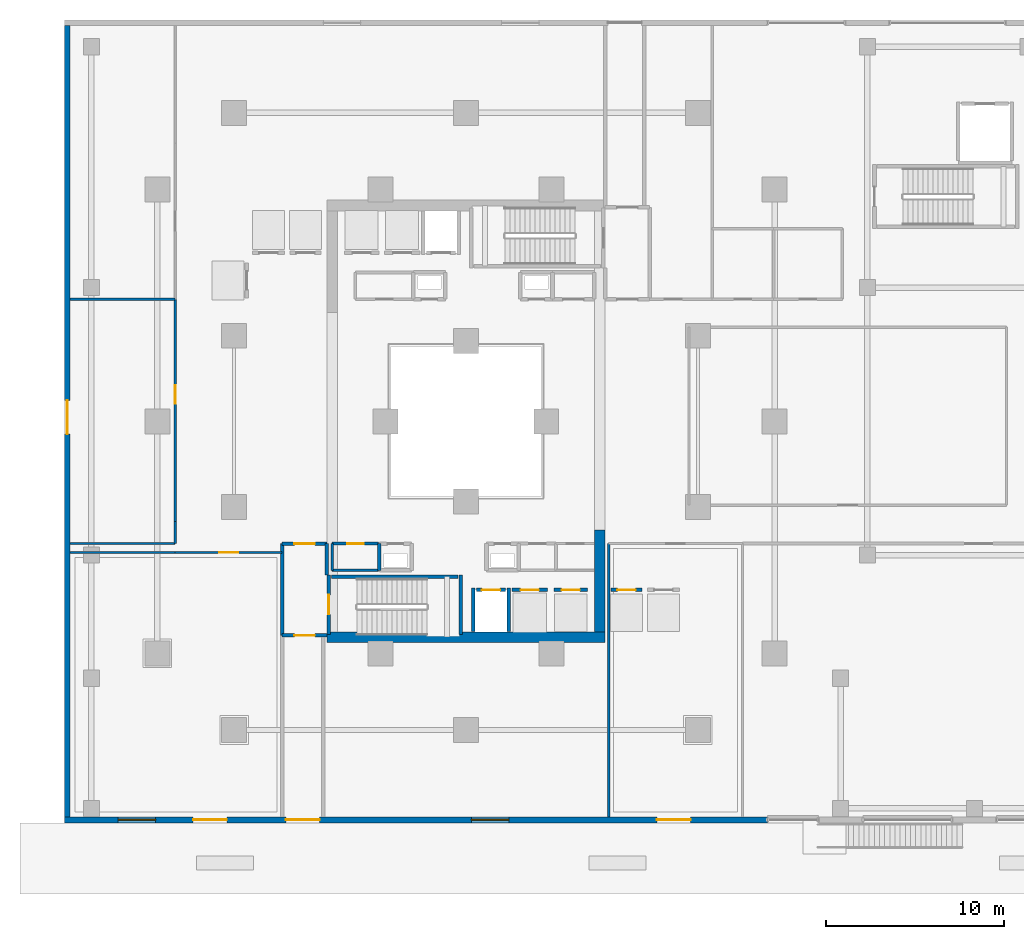
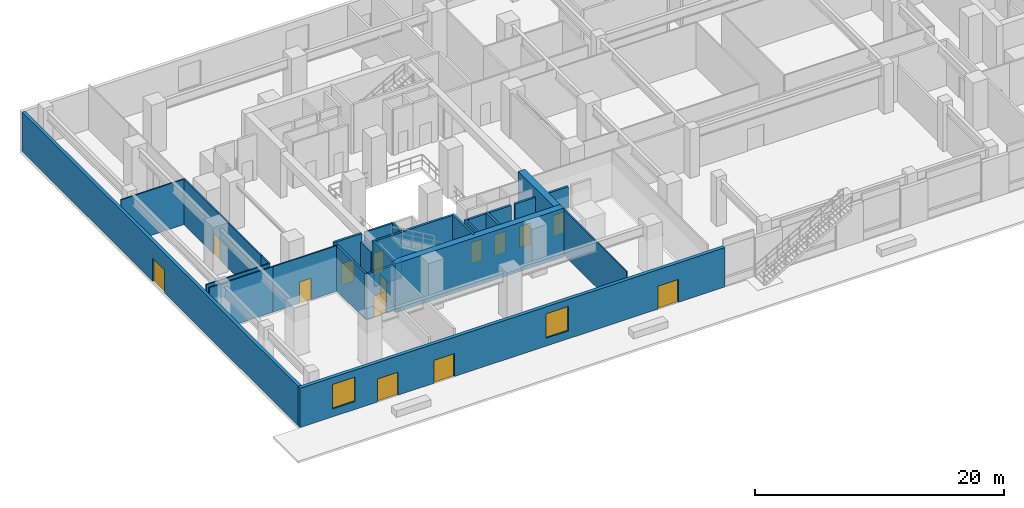
# One storey, part 12 of 24: 28 walls, 14 doors, 2 windows, 16 openings.
"""IFC4 building model written with IfcOpenShell, lengths in metres."""

from ifc_helpers import new_model, si_unit, direction, frame, frame_2d, origin, place, context, subcontext, project, spatial, rectangle, extrude, material, layer, layer_set, type_object, element, fill, save


model = new_model("IFC4")

# Units and contexts
model_context = context("Model", 3, precision=1e-05, world=origin(), true_north=direction((0.0, 1.0)))
body_context = subcontext(model_context, "Body", "Model", "MODEL_VIEW")
ifc_project = project(units=[si_unit("LENGTHUNIT", "METRE"), si_unit("AREAUNIT", "SQUARE_METRE"), si_unit("VOLUMEUNIT", "CUBIC_METRE"), si_unit("PLANEANGLEUNIT", "RADIAN"), si_unit("MASSUNIT", "GRAM", prefix="KILO")], contexts=[model_context])

# Site, building, storey
site_placement = place(None, origin())
site = spatial("IfcSite", under=ifc_project, at=site_placement, CompositionType="ELEMENT")
building_placement = place(site_placement, origin())
building = spatial("IfcBuilding", under=site, at=building_placement, Name="Thornwick Lancets Civic Towers", CompositionType="ELEMENT")
storey_placement = place(building_placement, origin())
storey = spatial("IfcBuildingStorey", under=building, at=storey_placement, Name="L00", CompositionType="ELEMENT", Elevation=0.0)

# Wall, opening, door
ifc_material_1 = material(Name="Concrete blockwork C40/50", Category="masonry")
ifc_layer_1 = layer(ifc_material_1, 0.199951171875, Name="Concrete blockwork C40/50")
ifc_layer_set_1 = layer_set([ifc_layer_1], Name="Concrete blockwork C40/50")
wall_type_1 = type_object("IfcWallType", Name="WALL_COMP_200", PredefinedType="STANDARD", material=ifc_layer_set_1)
wall_1_placement = place(storey_placement, frame((26.080078125, 17.550048828125, 0.0), z_axis=(0.0, 0.0, 1.0), x_axis=(1.0, 0.0, 0.0)))
wall_1 = element("IfcWall", 1, at=wall_1_placement, inside=storey, type_object=wall_type_1, Name="L00 Hoistway Front Wall FL-A1", PredefinedType="STANDARD", context=body_context, shape_type="SweptSolid", body=[
    extrude(rectangle(XDim=1.639892578125, YDim=0.199951171875, at=frame_2d((0.81982421875, 0.0))), origin(), (0.0, 0.0, 1.0), 4.4599609375),
])
opening_1_placement = place(wall_1_placement, frame((0.31005859375, 0.0, 0.0)))
opening_1 = element("IfcOpeningElement", 2, at=opening_1_placement, cuts=wall_1, Name="Opening LD-FL-A1", PredefinedType="OPENING", context=body_context, shape_type="SweptSolid", body=[
    extrude(rectangle(XDim=1.02001953125, YDim=2.06005859375, at=frame_2d((0.510009765625, 1.030029296875))), frame((0.0, 0.10986328125, 0.0), z_axis=(0.0, -1.0, 0.0), x_axis=(1.0, 0.0, 0.0)), (0.0, 0.0, 1.0), 0.219970703125),
])
ifc_material_2 = material(Name="Brushed bronze stainless steel", Category="steel")
door_type_1 = type_object("IfcDoorType", Name="DOOR_LIFT_SLIDE", OperationType="SLIDING_TO_LEFT", PredefinedType="DOOR", material=ifc_material_2)
door_1_placement = place(opening_1_placement, origin())
door_1 = element("IfcDoor", 3, at=door_1_placement, inside=storey, type_object=door_type_1, Name="L00 Sliding Lift Landing Door LD-FL-A1", OperationType="SLIDING_TO_LEFT", OverallHeight=2.06005859375, OverallWidth=1.02001953125, PredefinedType="DOOR", context=body_context, shape_type="SweptSolid", body=[
    extrude(rectangle(XDim=1.02001953125, YDim=2.06005859375, at=frame_2d((0.510009765625, 1.030029296875))), frame((0.0, 0.02490234375, 0.0), z_axis=(0.0, -1.0, 0.0), x_axis=(1.0, 0.0, 0.0)), (0.0, 0.0, 1.0), 0.050048828125),
])
fill(opening_1, door_1)

wall_2_placement = place(storey_placement, frame((28.080078125, 17.550048828125, 0.0), z_axis=(0.0, 0.0, 1.0), x_axis=(1.0, 0.0, 0.0)))
wall_2 = element("IfcWall", 4, at=wall_2_placement, inside=storey, type_object=wall_type_1, Name="L00 Hoistway Front Wall PL-AH1", PredefinedType="STANDARD", context=body_context, shape_type="SweptSolid", body=[
    extrude(rectangle(XDim=1.989990234375, YDim=0.199951171875, at=frame_2d((0.9951171875, 0.0))), origin(), (0.0, 0.0, 1.0), 4.4599609375),
])
opening_2_placement = place(wall_2_placement, frame((0.485107421875, 0.0, 0.0)))
opening_2 = element("IfcOpeningElement", 5, at=opening_2_placement, cuts=wall_2, Name="Opening LD-PL-AH1", PredefinedType="OPENING", context=body_context, shape_type="SweptSolid", body=[
    extrude(rectangle(XDim=1.02001953125, YDim=2.06005859375, at=frame_2d((0.510009765625, 1.030029296875))), frame((0.0, 0.10986328125, 0.0), z_axis=(0.0, -1.0, 0.0), x_axis=(1.0, 0.0, 0.0)), (0.0, 0.0, 1.0), 0.219970703125),
])
door_2_placement = place(opening_2_placement, origin())
door_2 = element("IfcDoor", 6, at=door_2_placement, inside=storey, type_object=door_type_1, Name="L00 Sliding Lift Landing Door LD-PL-AH1", OperationType="SLIDING_TO_LEFT", OverallHeight=2.06005859375, OverallWidth=1.02001953125, PredefinedType="DOOR", context=body_context, shape_type="SweptSolid", body=[
    extrude(rectangle(XDim=1.02001953125, YDim=2.06005859375, at=frame_2d((0.510009765625, 1.030029296875))), frame((0.0, 0.02490234375, 0.0), z_axis=(0.0, -1.0, 0.0), x_axis=(1.0, 0.0, 0.0)), (0.0, 0.0, 1.0), 0.050048828125),
])
fill(opening_2, door_2)

wall_3_placement = place(storey_placement, frame((30.429931640625, 17.550048828125, 0.0), z_axis=(0.0, 0.0, 1.0), x_axis=(1.0, 0.0, 0.0)))
wall_3 = element("IfcWall", 7, at=wall_3_placement, inside=storey, type_object=wall_type_1, Name="L00 Hoistway Front Wall PL-AL1", PredefinedType="STANDARD", context=body_context, shape_type="SweptSolid", body=[
    extrude(rectangle(XDim=1.89013671875, YDim=0.199951171875, at=frame_2d((0.945068359375, 0.0))), origin(), (0.0, 0.0, 1.0), 4.4599609375),
])
opening_3_placement = place(wall_3_placement, frame((0.43505859375, 0.0, 0.0)))
opening_3 = element("IfcOpeningElement", 8, at=opening_3_placement, cuts=wall_3, Name="Opening LD-PL-AL1", PredefinedType="OPENING", context=body_context, shape_type="SweptSolid", body=[
    extrude(rectangle(XDim=1.02001953125, YDim=2.06005859375, at=frame_2d((0.510009765625, 1.030029296875))), frame((0.0, 0.10986328125, 0.0), z_axis=(0.0, -1.0, 0.0), x_axis=(1.0, 0.0, 0.0)), (0.0, 0.0, 1.0), 0.219970703125),
])
door_3_placement = place(opening_3_placement, origin())
door_3 = element("IfcDoor", 9, at=door_3_placement, inside=storey, type_object=door_type_1, Name="L00 Sliding Lift Landing Door LD-PL-AL1", OperationType="SLIDING_TO_LEFT", OverallHeight=2.06005859375, OverallWidth=1.02001953125, PredefinedType="DOOR", context=body_context, shape_type="SweptSolid", body=[
    extrude(rectangle(XDim=1.02001953125, YDim=2.06005859375, at=frame_2d((0.510009765625, 1.030029296875))), frame((0.0, 0.02490234375, 0.0), z_axis=(0.0, -1.0, 0.0), x_axis=(1.0, 0.0, 0.0)), (0.0, 0.0, 1.0), 0.050048828125),
])
fill(opening_3, door_3)

wall_4_placement = place(storey_placement, frame((33.6298828125, 17.550048828125, 0.0), z_axis=(0.0, 0.0, 1.0), x_axis=(1.0, 0.0, 0.0)))
wall_4 = element("IfcWall", 10, at=wall_4_placement, inside=storey, type_object=wall_type_1, Name="L00 Hoistway Front Wall PL-AL2", PredefinedType="STANDARD", context=body_context, shape_type="SweptSolid", body=[
    extrude(rectangle(XDim=1.740234375, YDim=0.199951171875, at=frame_2d((0.8701171875, 0.0))), origin(), (0.0, 0.0, 1.0), 4.4599609375),
])
opening_4_placement = place(wall_4_placement, frame((0.360107421875, 0.0, 0.0)))
opening_4 = element("IfcOpeningElement", 11, at=opening_4_placement, cuts=wall_4, Name="Opening LD-PL-AL2", PredefinedType="OPENING", context=body_context, shape_type="SweptSolid", body=[
    extrude(rectangle(XDim=1.02001953125, YDim=2.06005859375, at=frame_2d((0.510009765625, 1.030029296875))), frame((0.0, 0.10986328125, 0.0), z_axis=(0.0, -1.0, 0.0), x_axis=(1.0, 0.0, 0.0)), (0.0, 0.0, 1.0), 0.219970703125),
])
door_4_placement = place(opening_4_placement, origin())
door_4 = element("IfcDoor", 12, at=door_4_placement, inside=storey, type_object=door_type_1, Name="L00 Sliding Lift Landing Door LD-PL-AL2", OperationType="SLIDING_TO_LEFT", OverallHeight=2.06005859375, OverallWidth=1.02001953125, PredefinedType="DOOR", context=body_context, shape_type="SweptSolid", body=[
    extrude(rectangle(XDim=1.02001953125, YDim=2.06005859375, at=frame_2d((0.510009765625, 1.030029296875))), frame((0.0, 0.02490234375, 0.0), z_axis=(0.0, -1.0, 0.0), x_axis=(1.0, 0.0, 0.0)), (0.0, 0.0, 1.0), 0.050048828125),
])
fill(opening_4, door_4)

# Walls
for number, where, z_axis, x_axis, name in (
    (13, (27.89990234375, 15.2119140625, 0.0), (0.0, 0.0, 1.0), (0.0, 1.0, 0.0), "L00 Hoistway Shaft Wall FL-A1 E"),
    (14, (25.89990234375, 15.2119140625, 0.0), (0.0, 0.0, 1.0), (0.0, 1.0, 0.0), "L00 Hoistway Shaft Wall FL-A1 W"),
):
    element("IfcWall", number, at=place(storey_placement, frame(where, z_axis=z_axis, x_axis=x_axis)), inside=storey, type_object=wall_type_1, Name=name, PredefinedType="STANDARD", context=body_context, shape_type="SweptSolid", body=[
        extrude(rectangle(XDim=2.43603515625, YDim=0.199951171875, at=frame_2d((1.218017578125, 0.0))), origin(), (0.0, 0.0, 1.0), 4.4599609375),
    ])

# Wall, opening, door
wall_5_placement = place(storey_placement, frame((15.199951171875, 15.0, 0.0), z_axis=(0.0, 0.0, 1.0), x_axis=(1.0, 0.0, 0.0)))
wall_5 = element("IfcWall", 15, at=wall_5_placement, inside=storey, type_object=wall_type_1, Name="L00 Partition L00-A-FFLOB1 E1", PredefinedType="STANDARD", context=body_context, shape_type="SweptSolid", body=[
    extrude(rectangle(XDim=2.5, YDim=0.199951171875, at=frame_2d((1.25, 0.0))), origin(), (0.0, 0.0, 1.0), 4.4599609375),
])
opening_5_placement = place(wall_5_placement, frame((0.675048828125, 0.0, 0.0)))
opening_5 = element("IfcOpeningElement", 16, at=opening_5_placement, cuts=wall_5, Name="Opening D-L00-0070", PredefinedType="OPENING", context=body_context, shape_type="SweptSolid", body=[
    extrude(rectangle(XDim=1.14990234375, YDim=2.10009765625, at=frame_2d((0.574951171875, 1.050048828125))), frame((0.0, 0.10986328125, 0.0), z_axis=(0.0, -1.0, 0.0), x_axis=(1.0, 0.0, 0.0)), (0.0, 0.0, 1.0), 0.219970703125),
])
ifc_material_3 = material(Name="Glazed fire-resisting steel", Category="steel")
door_type_2 = type_object("IfcDoorType", Name="DOOR_LOBBY_FD60", OperationType="NOTDEFINED", PredefinedType="DOOR", material=ifc_material_3)
door_5_placement = place(opening_5_placement, origin())
door_5 = element("IfcDoor", 17, at=door_5_placement, inside=storey, type_object=door_type_2, Name="L00 West Tower South Protected Exit Passage Door", OperationType="SINGLE_SWING_LEFT", OverallHeight=2.10009765625, OverallWidth=1.14990234375, PredefinedType="DOOR", context=body_context, shape_type="SweptSolid", body=[
    extrude(rectangle(XDim=1.14990234375, YDim=2.10009765625, at=frame_2d((0.574951171875, 1.050048828125))), frame((0.0, 0.02490234375, 0.0), z_axis=(0.0, -1.0, 0.0), x_axis=(1.0, 0.0, 0.0)), (0.0, 0.0, 1.0), 0.050048828125),
])
fill(opening_5, door_5)

# Wall
wall_6_placement = place(storey_placement, frame((17.699951171875, 18.39990234375, 0.0), z_axis=(0.0, 0.0, 1.0), x_axis=(0.0, 1.0, 0.0)))
element("IfcWall", 18, at=wall_6_placement, inside=storey, type_object=wall_type_1, Name="L00 Partition L00-A-FFLOB1 E2", PredefinedType="STANDARD", context=body_context, shape_type="SweptSolid", body=[
    extrude(rectangle(XDim=1.75, YDim=0.199951171875, at=frame_2d((0.875, 0.0))), origin(), (0.0, 0.0, 1.0), 3.6650390625),
])

# Wall, opening, door
wall_7_placement = place(storey_placement, frame((17.699951171875, 20.14990234375, 0.0), z_axis=(0.0, 0.0, 1.0), x_axis=(-1.0, 0.0, 0.0)))
wall_7 = element("IfcWall", 19, at=wall_7_placement, inside=storey, type_object=wall_type_1, Name="L00 Partition L00-A-FFLOB1 E3", PredefinedType="STANDARD", context=body_context, shape_type="SweptSolid", body=[
    extrude(rectangle(XDim=2.5, YDim=0.199951171875, at=frame_2d((1.25, 0.0))), origin(), (0.0, 0.0, 1.0), 4.4599609375),
])
opening_6_placement = place(wall_7_placement, frame((0.675048828125, 0.0, 0.0)))
opening_6 = element("IfcOpeningElement", 20, at=opening_6_placement, cuts=wall_7, Name="Opening D-L00-0045", PredefinedType="OPENING", context=body_context, shape_type="SweptSolid", body=[
    extrude(rectangle(XDim=1.14990234375, YDim=2.10009765625, at=frame_2d((0.574951171875, 1.050048828125))), frame((0.0, 0.10986328125, 0.0), z_axis=(0.0, -1.0, 0.0), x_axis=(1.0, 0.0, 0.0)), (0.0, 0.0, 1.0), 0.219970703125),
])
door_6_placement = place(opening_6_placement, origin())
door_6 = element("IfcDoor", 21, at=door_6_placement, inside=storey, type_object=door_type_2, Name="L00 South Firefighting Lobby 1 Door", OperationType="SINGLE_SWING_RIGHT", OverallHeight=2.10009765625, OverallWidth=1.14990234375, PredefinedType="DOOR", context=body_context, shape_type="SweptSolid", body=[
    extrude(rectangle(XDim=1.14990234375, YDim=2.10009765625, at=frame_2d((0.574951171875, 1.050048828125))), frame((0.0, 0.02490234375, 0.0), z_axis=(0.0, -1.0, 0.0), x_axis=(1.0, 0.0, 0.0)), (0.0, 0.0, 1.0), 0.050048828125),
])
fill(opening_6, door_6)

# Walls
wall_8_placement = place(storey_placement, frame((15.199951171875, 20.14990234375, 0.0), z_axis=(0.0, 0.0, 1.0), x_axis=(0.0, -1.0, 0.0)))
element("IfcWall", 22, at=wall_8_placement, inside=storey, type_object=wall_type_1, Name="L00 Partition L00-A-FFLOB1 E4", PredefinedType="STANDARD", context=body_context, shape_type="SweptSolid", body=[
    extrude(rectangle(XDim=5.14990234375, YDim=0.199951171875, at=frame_2d((2.574951171875, 0.0))), origin(), (0.0, 0.0, 1.0), 4.4599609375),
])
wall_9_placement = place(storey_placement, frame((20.64990234375, 20.14990234375, 0.0), z_axis=(0.0, 0.0, 1.0), x_axis=(0.0, -1.0, 0.0)))
element("IfcWall", 23, at=wall_9_placement, inside=storey, type_object=wall_type_1, Name="L00 Partition L00-A-RISER1 E4", PredefinedType="STANDARD", context=body_context, shape_type="SweptSolid", body=[
    extrude(rectangle(XDim=1.5, YDim=0.199951171875, at=frame_2d((0.75, 0.0))), origin(), (0.0, 0.0, 1.0), 4.4599609375),
])
ifc_material_4 = material(Name="Concrete C60/75", Category="concrete")
ifc_layer_2 = layer(ifc_material_4, 0.60009765625, Name="Concrete C60/75")
ifc_layer_set_2 = layer_set([ifc_layer_2], Name="Concrete C60/75")
wall_type_2 = type_object("IfcWallType", Name="WALL_CORE_600", PredefinedType="SHEAR", material=ifc_layer_set_2)
wall_10_placement = place(storey_placement, frame((17.699951171875, 14.89990234375, 0.0), z_axis=(0.0, 0.0, 1.0), x_axis=(1.0, 0.0, 0.0)))
element("IfcWall", 24, at=wall_10_placement, inside=storey, type_object=wall_type_2, Name="L00 Split Core A1 Shear Wall S", PredefinedType="SHEAR", context=body_context, shape_type="SweptSolid", body=[
    extrude(rectangle(XDim=15.60009765625, YDim=0.60009765625, at=frame_2d((7.800048828125, 0.0))), origin(), (0.0, 0.0, 1.0), 4.800048828125),
])
wall_11_placement = place(storey_placement, frame((33.0, 15.199951171875, 0.0), z_axis=(0.0, 0.0, 1.0), x_axis=(0.0, 1.0, 0.0)))
element("IfcWall", 25, at=wall_11_placement, inside=storey, type_object=wall_type_2, Name="L00 Split Core A1 Shear Wall E", PredefinedType="SHEAR", context=body_context, shape_type="SweptSolid", body=[
    extrude(rectangle(XDim=5.699951171875, YDim=0.60009765625, at=frame_2d((2.85009765625, 0.0))), origin(), (0.0, 0.0, 1.0), 4.800048828125),
])

# Wall, opening, door
ifc_material_5 = material(Name="Insulated russet terracotta rainscreen on concrete C40/50", Category="masonry")
ifc_layer_3 = layer(ifc_material_5, 0.300048828125, Name="Insulated russet terracotta rainscreen on concrete C40/50")
ifc_layer_set_3 = layer_set([ifc_layer_3], Name="Insulated russet terracotta rainscreen on concrete C40/50")
wall_type_3 = type_object("IfcWallType", Name="WALL_EXT_RUSSET_300", PredefinedType="STANDARD", material=ifc_layer_set_3)
wall_12_placement = place(storey_placement, frame((3.14990234375, 49.179931640625, 0.0), z_axis=(0.0, 0.0, 1.0), x_axis=(0.0, -1.0, 0.0)))
wall_12 = element("IfcWall", 26, at=wall_12_placement, inside=storey, type_object=wall_type_3, Name="L00 Podium West Facade Wall", PredefinedType="STANDARD", context=body_context, shape_type="SweptSolid", body=[
    extrude(rectangle(XDim=44.35986328125, YDim=0.300048828125, at=frame_2d((22.179931640625, 0.0))), origin(), (0.0, 0.0, 1.0), 3.860107421875),
])
opening_7_placement = place(wall_12_placement, frame((22.89990234375, 0.0, 0.0), z_axis=(0.0, 0.0, 1.0), x_axis=(-1.0, 0.0, 0.0)))
opening_7 = element("IfcOpeningElement", 27, at=opening_7_placement, cuts=wall_12, Name="Opening D-EX-09", PredefinedType="OPENING", context=body_context, shape_type="SweptSolid", body=[
    extrude(rectangle(XDim=1.89990234375, YDim=2.25, at=frame_2d((0.949951171875, 1.125))), frame((0.0, 0.16015625, 0.0), z_axis=(0.0, -1.0, 0.0), x_axis=(1.0, 0.0, 0.0)), (0.0, 0.0, 1.0), 0.320068359375),
])
ifc_material_6 = material(Name="Glazed bronze civic entrance double doorset")
door_type_3 = type_object("IfcDoorType", Name="DOOR_EXIT_1900", OperationType="DOUBLE_DOOR_SINGLE_SWING", PredefinedType="DOOR", material=ifc_material_6)
door_7_placement = place(opening_7_placement, origin())
door_7 = element("IfcDoor", 28, at=door_7_placement, inside=storey, type_object=door_type_3, Name="L00 Final Pedestrian Exit Door D-EX-09", OperationType="DOUBLE_DOOR_SINGLE_SWING", OverallHeight=2.25, OverallWidth=1.89990234375, PredefinedType="DOOR", context=body_context, shape_type="SweptSolid", body=[
    extrude(rectangle(XDim=1.89990234375, YDim=2.25, at=frame_2d((0.949951171875, 1.125))), frame((0.0, 0.02490234375, 0.0), z_axis=(0.0, -1.0, 0.0), x_axis=(1.0, 0.0, 0.0)), (0.0, 0.0, 1.0), 0.050048828125),
])
fill(opening_7, door_7)

# Wall, openings, doors, windows
ifc_material_7 = material(Name="Insulated buff terracotta rainscreen on concrete C40/50", Category="masonry")
ifc_layer_4 = layer(ifc_material_7, 0.320068359375, Name="Insulated buff terracotta rainscreen on concrete C40/50")
ifc_layer_set_4 = layer_set([ifc_layer_4], Name="Insulated buff terracotta rainscreen on concrete C40/50")
wall_type_4 = type_object("IfcWallType", Name="WALL_EXT_TERRA_320", PredefinedType="STANDARD", material=ifc_layer_set_4)
wall_13_placement = place(storey_placement, frame((3.0, 4.659912109375, 0.0), z_axis=(0.0, 0.0, 1.0), x_axis=(1.0, 0.0, 0.0)))
wall_13 = element("IfcWall", 29, at=wall_13_placement, inside=storey, type_object=wall_type_4, Name="L00 Podium South-West Facade Wall", PredefinedType="STANDARD", context=body_context, shape_type="SweptSolid", body=[
    extrude(rectangle(XDim=39.39990234375, YDim=0.320068359375, at=frame_2d((19.699951171875, 0.0))), origin(), (0.0, 0.0, 1.0), 3.860107421875),
])
opening_8_placement = place(wall_13_placement, frame((14.2998046875, 0.0, 0.0), z_axis=(0.0, 0.0, 1.0), x_axis=(-1.0, 0.0, 0.0)))
opening_8 = element("IfcOpeningElement", 30, at=opening_8_placement, cuts=wall_13, Name="Opening D-EX-01", PredefinedType="OPENING", context=body_context, shape_type="SweptSolid", body=[
    extrude(rectangle(XDim=1.89990234375, YDim=2.25, at=frame_2d((0.949951171875, 1.125))), frame((0.0, 0.169921875, 0.0), z_axis=(0.0, -1.0, 0.0), x_axis=(1.0, 0.0, 0.0)), (0.0, 0.0, 1.0), 0.340087890625),
])
opening_9_placement = place(wall_13_placement, frame((9.099853515625, 0.0, 0.0), z_axis=(0.0, 0.0, 1.0), x_axis=(-1.0, 0.0, 0.0)))
opening_9 = element("IfcOpeningElement", 31, at=opening_9_placement, cuts=wall_13, Name="Opening D-EX-02", PredefinedType="OPENING", context=body_context, shape_type="SweptSolid", body=[
    extrude(rectangle(XDim=1.89990234375, YDim=2.25, at=frame_2d((0.949951171875, 1.125))), frame((0.0, 0.169921875, 0.0), z_axis=(0.0, -1.0, 0.0), x_axis=(1.0, 0.0, 0.0)), (0.0, 0.0, 1.0), 0.340087890625),
])
opening_10_placement = place(wall_13_placement, frame((35.099853515625, 0.0, 0.0), z_axis=(0.0, 0.0, 1.0), x_axis=(-1.0, 0.0, 0.0)))
opening_10 = element("IfcOpeningElement", 32, at=opening_10_placement, cuts=wall_13, Name="Opening D-EX-03", PredefinedType="OPENING", context=body_context, shape_type="SweptSolid", body=[
    extrude(rectangle(XDim=1.89990234375, YDim=2.25, at=frame_2d((0.949951171875, 1.125))), frame((0.0, 0.169921875, 0.0), z_axis=(0.0, -1.0, 0.0), x_axis=(1.0, 0.0, 0.0)), (0.0, 0.0, 1.0), 0.340087890625),
])
opening_11_placement = place(wall_13_placement, frame((3.0, 0.0, 0.780029296875)))
opening_11 = element("IfcOpeningElement", 33, at=opening_11_placement, cuts=wall_13, Name="Opening WP-21", PredefinedType="OPENING", context=body_context, shape_type="SweptSolid", body=[
    extrude(rectangle(XDim=2.10009765625, YDim=2.39990234375, at=frame_2d((1.050048828125, 1.199951171875))), frame((0.0, 0.169921875, 0.0), z_axis=(0.0, -1.0, 0.0), x_axis=(1.0, 0.0, 0.0)), (0.0, 0.0, 1.0), 0.340087890625),
])
opening_12_placement = place(wall_13_placement, frame((22.800048828125, 0.0, 0.780029296875)))
opening_12 = element("IfcOpeningElement", 34, at=opening_12_placement, cuts=wall_13, Name="Opening WP-21", PredefinedType="OPENING", context=body_context, shape_type="SweptSolid", body=[
    extrude(rectangle(XDim=2.10009765625, YDim=2.39990234375, at=frame_2d((1.050048828125, 1.199951171875))), frame((0.0, 0.169921875, 0.0), z_axis=(0.0, -1.0, 0.0), x_axis=(1.0, 0.0, 0.0)), (0.0, 0.0, 1.0), 0.340087890625),
])
door_8_placement = place(opening_8_placement, origin())
door_8 = element("IfcDoor", 35, at=door_8_placement, inside=storey, type_object=door_type_3, Name="L00 Final Pedestrian Exit Door D-EX-01", OperationType="DOUBLE_DOOR_SINGLE_SWING", OverallHeight=2.25, OverallWidth=1.89990234375, PredefinedType="DOOR", context=body_context, shape_type="SweptSolid", body=[
    extrude(rectangle(XDim=1.89990234375, YDim=2.25, at=frame_2d((0.949951171875, 1.125))), frame((0.0, 0.02490234375, 0.0), z_axis=(0.0, -1.0, 0.0), x_axis=(1.0, 0.0, 0.0)), (0.0, 0.0, 1.0), 0.050048828125),
])
fill(opening_8, door_8)
door_9_placement = place(opening_9_placement, origin())
door_9 = element("IfcDoor", 36, at=door_9_placement, inside=storey, type_object=door_type_3, Name="L00 Final Pedestrian Exit Door D-EX-02", OperationType="DOUBLE_DOOR_SINGLE_SWING", OverallHeight=2.25, OverallWidth=1.89990234375, PredefinedType="DOOR", context=body_context, shape_type="SweptSolid", body=[
    extrude(rectangle(XDim=1.89990234375, YDim=2.25, at=frame_2d((0.949951171875, 1.125))), frame((0.0, 0.02490234375, 0.0), z_axis=(0.0, -1.0, 0.0), x_axis=(1.0, 0.0, 0.0)), (0.0, 0.0, 1.0), 0.050048828125),
])
fill(opening_9, door_9)
door_10_placement = place(opening_10_placement, origin())
door_10 = element("IfcDoor", 37, at=door_10_placement, inside=storey, type_object=door_type_3, Name="L00 Final Pedestrian Exit Door D-EX-03", OperationType="DOUBLE_DOOR_SINGLE_SWING", OverallHeight=2.25, OverallWidth=1.89990234375, PredefinedType="DOOR", context=body_context, shape_type="SweptSolid", body=[
    extrude(rectangle(XDim=1.89990234375, YDim=2.25, at=frame_2d((0.949951171875, 1.125))), frame((0.0, 0.02490234375, 0.0), z_axis=(0.0, -1.0, 0.0), x_axis=(1.0, 0.0, 0.0)), (0.0, 0.0, 1.0), 0.050048828125),
])
fill(opening_10, door_10)
ifc_material_8 = material(Name="Grand civic pointed lancet glass window", Category="glass")
window_type = type_object("IfcWindowType", Name="WIN_PODIUM_2100", PartitioningType="SINGLE_PANEL", PredefinedType="WINDOW", material=ifc_material_8)
window_1_placement = place(opening_11_placement, origin())
window_1 = element("IfcWindow", 38, at=window_1_placement, inside=storey, type_object=window_type, Name="L00 Podium Lancet Window 1", OverallHeight=2.39990234375, OverallWidth=2.10009765625, PartitioningType="SINGLE_PANEL", PredefinedType="WINDOW", context=body_context, shape_type="SweptSolid", body=[
    extrude(rectangle(XDim=2.10009765625, YDim=2.39990234375, at=frame_2d((1.050048828125, 1.199951171875))), frame((0.0, 0.030029296875, 0.0), z_axis=(0.0, -1.0, 0.0), x_axis=(1.0, 0.0, 0.0)), (0.0, 0.0, 1.0), 0.06005859375),
])
fill(opening_11, window_1)
window_2_placement = place(opening_12_placement, origin())
window_2 = element("IfcWindow", 39, at=window_2_placement, inside=storey, type_object=window_type, Name="L00 Podium Lancet Window 3", OverallHeight=2.39990234375, OverallWidth=2.10009765625, PartitioningType="SINGLE_PANEL", PredefinedType="WINDOW", context=body_context, shape_type="SweptSolid", body=[
    extrude(rectangle(XDim=2.10009765625, YDim=2.39990234375, at=frame_2d((1.050048828125, 1.199951171875))), frame((0.0, 0.030029296875, 0.0), z_axis=(0.0, -1.0, 0.0), x_axis=(1.0, 0.0, 0.0)), (0.0, 0.0, 1.0), 0.06005859375),
])
fill(opening_12, window_2)

# Wall
ifc_material_9 = material(Name="Acoustic gypsum board partition")
ifc_layer_5 = layer(ifc_material_9, 0.1201171875, Name="Acoustic gypsum board partition")
ifc_layer_set_5 = layer_set([ifc_layer_5], Name="Acoustic gypsum board partition")
wall_type_5 = type_object("IfcWallType", Name="WALL_PART_120", PredefinedType="PARTITIONING", material=ifc_layer_set_5)
wall_14_placement = place(storey_placement, frame((3.300048828125, 19.64990234375, 0.0), z_axis=(0.0, 0.0, 1.0), x_axis=(1.0, 0.0, 0.0)))
element("IfcWall", 40, at=wall_14_placement, inside=storey, type_object=wall_type_5, Name="L00 Partition L00-INFO E2", PredefinedType="PARTITIONING", context=body_context, shape_type="SweptSolid", body=[
    extrude(rectangle(XDim=5.89990234375, YDim=0.1201171875, at=frame_2d((2.949951171875, 0.0))), origin(), (0.0, 0.0, 1.0), 4.4599609375),
])

# Wall, opening, door
wall_15_placement = place(storey_placement, frame((9.199951171875, 19.64990234375, 0.0), z_axis=(0.0, 0.0, 1.0), x_axis=(1.0, 0.0, 0.0)))
wall_15 = element("IfcWall", 41, at=wall_15_placement, inside=storey, type_object=wall_type_5, Name="L00 Partition L00-INFO E3", PredefinedType="PARTITIONING", context=body_context, shape_type="SweptSolid", body=[
    extrude(rectangle(XDim=6.0, YDim=0.1201171875, at=frame_2d((3.0, 0.0))), origin(), (0.0, 0.0, 1.0), 4.4599609375),
])
opening_13_placement = place(wall_15_placement, frame((2.47509765625, 0.0, 0.0)))
opening_13 = element("IfcOpeningElement", 42, at=opening_13_placement, cuts=wall_15, Name="Opening D-L00-0074", PredefinedType="OPENING", context=body_context, shape_type="SweptSolid", body=[
    extrude(rectangle(XDim=1.050048828125, YDim=2.10009765625, at=frame_2d((0.52490234375, 1.050048828125))), frame((0.0, 0.070068359375, 0.0), z_axis=(0.0, -1.0, 0.0), x_axis=(1.0, 0.0, 0.0)), (0.0, 0.0, 1.0), 0.14013671875),
])
ifc_material_10 = material(Name="Glazed European oak executive doorset")
door_type_4 = type_object("IfcDoorType", Name="DOOR_OFFICE_1050", OperationType="NOTDEFINED", PredefinedType="DOOR", material=ifc_material_10)
door_11_placement = place(opening_13_placement, origin())
door_11 = element("IfcDoor", 43, at=door_11_placement, inside=storey, type_object=door_type_4, Name="Citizen Enquiries and Pass Office Door", OperationType="SINGLE_SWING_LEFT", OverallHeight=2.10009765625, OverallWidth=1.050048828125, PredefinedType="DOOR", context=body_context, shape_type="SweptSolid", body=[
    extrude(rectangle(XDim=1.050048828125, YDim=2.10009765625, at=frame_2d((0.52490234375, 1.050048828125))), frame((0.0, 0.02490234375, 0.0), z_axis=(0.0, -1.0, 0.0), x_axis=(1.0, 0.0, 0.0)), (0.0, 0.0, 1.0), 0.050048828125),
])
fill(opening_13, door_11)

# Walls
wall_16_placement = place(storey_placement, frame((33.5, 4.820068359375, 0.0), z_axis=(0.0, 0.0, 1.0), x_axis=(0.0, 1.0, 0.0)))
element("IfcWall", 44, at=wall_16_placement, inside=storey, type_object=wall_type_5, Name="L00 Partition L00-SEC E2", PredefinedType="PARTITIONING", context=body_context, shape_type="SweptSolid", body=[
    extrude(rectangle(XDim=15.329833984375, YDim=0.1201171875, at=frame_2d((7.6650390625, 0.0))), origin(), (0.0, 0.0, 1.0), 4.4599609375),
])
wall_17_placement = place(storey_placement, frame((3.300048828125, 33.85009765625, 0.0), z_axis=(0.0, 0.0, 1.0), x_axis=(1.0, 0.0, 0.0)))
element("IfcWall", 45, at=wall_17_placement, inside=storey, type_object=wall_type_5, Name="L00 Partition L00-WESTH E2", PredefinedType="PARTITIONING", context=body_context, shape_type="SweptSolid", body=[
    extrude(rectangle(XDim=5.89990234375, YDim=0.1201171875, at=frame_2d((2.949951171875, 0.0))), origin(), (0.0, 0.0, 1.0), 4.4599609375),
])

# Wall, opening, door
wall_18_placement = place(storey_placement, frame((9.199951171875, 33.85009765625, 0.0), z_axis=(0.0, 0.0, 1.0), x_axis=(0.0, -1.0, 0.0)))
wall_18 = element("IfcWall", 46, at=wall_18_placement, inside=storey, type_object=wall_type_5, Name="L00 Partition L00-WESTH E3", PredefinedType="PARTITIONING", context=body_context, shape_type="SweptSolid", body=[
    extrude(rectangle(XDim=12.4501953125, YDim=0.1201171875, at=frame_2d((6.22509765625, 0.0))), origin(), (0.0, 0.0, 1.0), 4.4599609375),
])
opening_14_placement = place(wall_18_placement, frame((4.820068359375, 0.0, 0.0)))
opening_14 = element("IfcOpeningElement", 47, at=opening_14_placement, cuts=wall_18, Name="Opening D-L00-0080", PredefinedType="OPENING", context=body_context, shape_type="SweptSolid", body=[
    extrude(rectangle(XDim=1.050048828125, YDim=2.10009765625, at=frame_2d((0.52490234375, 1.050048828125))), frame((0.0, 0.070068359375, 0.0), z_axis=(0.0, -1.0, 0.0), x_axis=(1.0, 0.0, 0.0)), (0.0, 0.0, 1.0), 0.14013671875),
])
door_12_placement = place(opening_14_placement, origin())
door_12 = element("IfcDoor", 48, at=door_12_placement, inside=storey, type_object=door_type_4, Name="West Atrium Exhibition Gallery Door", OperationType="SINGLE_SWING_LEFT", OverallHeight=2.10009765625, OverallWidth=1.050048828125, PredefinedType="DOOR", context=body_context, shape_type="SweptSolid", body=[
    extrude(rectangle(XDim=1.050048828125, YDim=2.10009765625, at=frame_2d((0.52490234375, 1.050048828125))), frame((0.0, 0.02490234375, 0.0), z_axis=(0.0, -1.0, 0.0), x_axis=(1.0, 0.0, 0.0)), (0.0, 0.0, 1.0), 0.050048828125),
])
fill(opening_14, door_12)

# Walls
wall_19_placement = place(storey_placement, frame((9.199951171875, 21.39990234375, 0.0), z_axis=(0.0, 0.0, 1.0), x_axis=(0.0, -1.0, 0.0)))
element("IfcWall", 49, at=wall_19_placement, inside=storey, type_object=wall_type_5, Name="L00 Partition L00-WESTH E4", PredefinedType="PARTITIONING", context=body_context, shape_type="SweptSolid", body=[
    extrude(rectangle(XDim=1.25, YDim=0.1201171875, at=frame_2d((0.625, 0.0))), origin(), (0.0, 0.0, 1.0), 4.4599609375),
])
wall_20_placement = place(storey_placement, frame((9.199951171875, 20.14990234375, 0.0), z_axis=(0.0, 0.0, 1.0), x_axis=(-1.0, 0.0, 0.0)))
element("IfcWall", 50, at=wall_20_placement, inside=storey, type_object=wall_type_5, Name="L00 Partition L00-WESTH E5", PredefinedType="PARTITIONING", context=body_context, shape_type="SweptSolid", body=[
    extrude(rectangle(XDim=5.89990234375, YDim=0.1201171875, at=frame_2d((2.949951171875, 0.0))), origin(), (0.0, 0.0, 1.0), 4.4599609375),
])
ifc_material_11 = material(Name="Twin-stud acoustic gypsum board")
ifc_layer_6 = layer(ifc_material_11, 0.14990234375, Name="Twin-stud acoustic gypsum board")
ifc_layer_set_6 = layer_set([ifc_layer_6], Name="Twin-stud acoustic gypsum board")
wall_type_6 = type_object("IfcWallType", Name="WALL_PART_150", PredefinedType="PARTITIONING", material=ifc_layer_set_6)
wall_21_placement = place(storey_placement, frame((18.0, 18.64990234375, 0.0), z_axis=(0.0, 0.0, 1.0), x_axis=(1.0, 0.0, 0.0)))
element("IfcWall", 51, at=wall_21_placement, inside=storey, type_object=wall_type_6, Name="L00 Partition L00-A-AWC E1", PredefinedType="PARTITIONING", context=body_context, shape_type="SweptSolid", body=[
    extrude(rectangle(XDim=2.60009765625, YDim=0.14990234375, at=frame_2d((1.300048828125, 0.0))), origin(), (0.0, 0.0, 1.0), 4.4599609375),
])

# Wall, opening, door
wall_22_placement = place(storey_placement, frame((20.60009765625, 20.14990234375, 0.0), z_axis=(0.0, 0.0, 1.0), x_axis=(-1.0, 0.0, 0.0)))
wall_22 = element("IfcWall", 52, at=wall_22_placement, inside=storey, type_object=wall_type_6, Name="L00 Partition L00-A-AWC E3", PredefinedType="PARTITIONING", context=body_context, shape_type="SweptSolid", body=[
    extrude(rectangle(XDim=2.60009765625, YDim=0.14990234375, at=frame_2d((1.300048828125, 0.0))), origin(), (0.0, 0.0, 1.0), 4.4599609375),
])
opening_15_placement = place(wall_22_placement, frame((0.840087890625, 0.0, 0.0)))
opening_15 = element("IfcOpeningElement", 53, at=opening_15_placement, cuts=wall_22, Name="Opening D-L00-0051", PredefinedType="OPENING", context=body_context, shape_type="SweptSolid", body=[
    extrude(rectangle(XDim=0.919921875, YDim=2.080078125, at=frame_2d((0.4599609375, 1.0400390625))), frame((0.0, 0.0849609375, 0.0), z_axis=(0.0, -1.0, 0.0), x_axis=(1.0, 0.0, 0.0)), (0.0, 0.0, 1.0), 0.169921875),
])
ifc_material_12 = material(Name="Moisture-resistant oak doorset")
door_type_5 = type_object("IfcDoorType", Name="DOOR_WC_900", OperationType="NOTDEFINED", PredefinedType="DOOR", material=ifc_material_12)
door_13_placement = place(opening_15_placement, origin())
door_13 = element("IfcDoor", 54, at=door_13_placement, inside=storey, type_object=door_type_5, Name="L00 Tower A Accessible WC Door", OperationType="SINGLE_SWING_RIGHT", OverallHeight=2.080078125, OverallWidth=0.919921875, PredefinedType="DOOR", context=body_context, shape_type="SweptSolid", body=[
    extrude(rectangle(XDim=0.919921875, YDim=2.080078125, at=frame_2d((0.4599609375, 1.0400390625))), frame((0.0, 0.02490234375, 0.0), z_axis=(0.0, -1.0, 0.0), x_axis=(1.0, 0.0, 0.0)), (0.0, 0.0, 1.0), 0.050048828125),
])
fill(opening_15, door_13)

# Wall
wall_23_placement = place(storey_placement, frame((18.0, 20.14990234375, 0.0), z_axis=(0.0, 0.0, 1.0), x_axis=(0.0, -1.0, 0.0)))
element("IfcWall", 55, at=wall_23_placement, inside=storey, type_object=wall_type_6, Name="L00 Partition L00-A-AWC E4", PredefinedType="PARTITIONING", context=body_context, shape_type="SweptSolid", body=[
    extrude(rectangle(XDim=1.5, YDim=0.14990234375, at=frame_2d((0.75, 0.0))), origin(), (0.0, 0.0, 1.0), 3.6650390625),
])

# Wall, opening, door
ifc_material_13 = material(Name="Concrete C40/50", Category="concrete")
ifc_layer_7 = layer(ifc_material_13, 0.199951171875, Name="Concrete C40/50")
ifc_layer_set_7 = layer_set([ifc_layer_7], Name="Concrete C40/50")
wall_type_7 = type_object("IfcWallType", Name="WALL_SHAFT_200", PredefinedType="SHEAR", material=ifc_layer_set_7)
wall_24_placement = place(storey_placement, frame((17.800048828125, 15.050048828125, 0.0), z_axis=(0.0, 0.0, 1.0), x_axis=(0.0, 1.0, 0.0)))
wall_24 = element("IfcWall", 56, at=wall_24_placement, inside=storey, type_object=wall_type_7, Name="L00 ST-A1 Fire Stair Core Wall NEAR", PredefinedType="SHEAR", context=body_context, shape_type="SweptSolid", body=[
    extrude(rectangle(XDim=3.349853515625, YDim=0.199951171875, at=frame_2d((1.6748046875, 0.0))), origin(), (0.0, 0.0, 1.0), 4.800048828125),
])
opening_16_placement = place(wall_24_placement, frame((1.125, 0.0, 0.0)))
opening_16 = element("IfcOpeningElement", 57, at=opening_16_placement, cuts=wall_24, Name="Opening D-ST-A1-L00", PredefinedType="OPENING", context=body_context, shape_type="SweptSolid", body=[
    extrude(rectangle(XDim=1.10009765625, YDim=2.10009765625, at=frame_2d((0.550048828125, 1.050048828125))), frame((0.0, 0.10986328125, 0.0), z_axis=(0.0, -1.0, 0.0), x_axis=(1.0, 0.0, 0.0)), (0.0, 0.0, 1.0), 0.219970703125),
])
ifc_material_14 = material(Name="Fire-resisting steel and hardwood", Category="steel")
door_type_6 = type_object("IfcDoorType", Name="DOOR_STAIR_FD60", OperationType="NOTDEFINED", PredefinedType="DOOR", material=ifc_material_14)
door_14_placement = place(opening_16_placement, origin())
door_14 = element("IfcDoor", 58, at=door_14_placement, inside=storey, type_object=door_type_6, Name="L00 ST-A1 Exit Stair Door", OperationType="SINGLE_SWING_RIGHT", OverallHeight=2.10009765625, OverallWidth=1.10009765625, PredefinedType="DOOR", context=body_context, shape_type="SweptSolid", body=[
    extrude(rectangle(XDim=1.10009765625, YDim=2.10009765625, at=frame_2d((0.550048828125, 1.050048828125))), frame((0.0, 0.02490234375, 0.0), z_axis=(0.0, -1.0, 0.0), x_axis=(1.0, 0.0, 0.0)), (0.0, 0.0, 1.0), 0.050048828125),
])
fill(opening_16, door_14)

# Walls
wall_25_placement = place(storey_placement, frame((25.199951171875, 18.39990234375, 0.0), z_axis=(0.0, 0.0, 1.0), x_axis=(0.0, -1.0, 0.0)))
element("IfcWall", 59, at=wall_25_placement, inside=storey, type_object=wall_type_7, Name="L00 ST-A1 Fire Stair Core Wall FAR", PredefinedType="SHEAR", context=body_context, shape_type="SweptSolid", body=[
    extrude(rectangle(XDim=3.349853515625, YDim=0.199951171875, at=frame_2d((1.6748046875, 0.0))), origin(), (0.0, 0.0, 1.0), 4.800048828125),
])
wall_26_placement = place(storey_placement, frame((25.050048828125, 18.297119140625, 0.0), z_axis=(0.0, 0.0, 1.0), x_axis=(-1.0, 0.0, 0.0)))
element("IfcWall", 60, at=wall_26_placement, inside=storey, type_object=wall_type_7, Name="L00 ST-A1 Fire Stair Core Wall RIGHT", PredefinedType="SHEAR", context=body_context, shape_type="SweptSolid", body=[
    extrude(rectangle(XDim=7.10009765625, YDim=0.199951171875, at=frame_2d((3.550048828125, 0.0))), origin(), (0.0, 0.0, 1.0), 4.800048828125),
])

save(model, "model.ifc")
